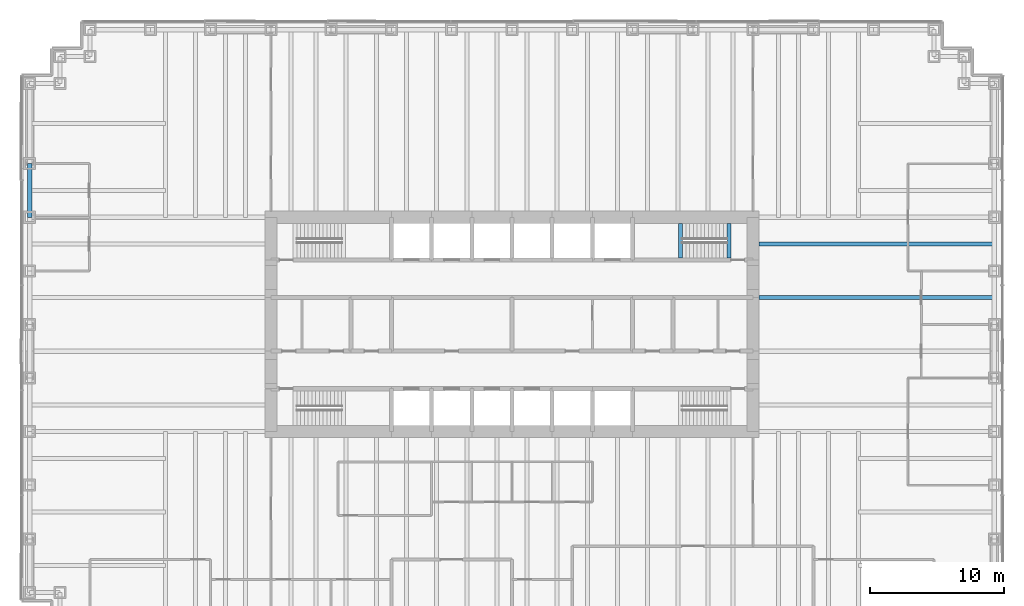
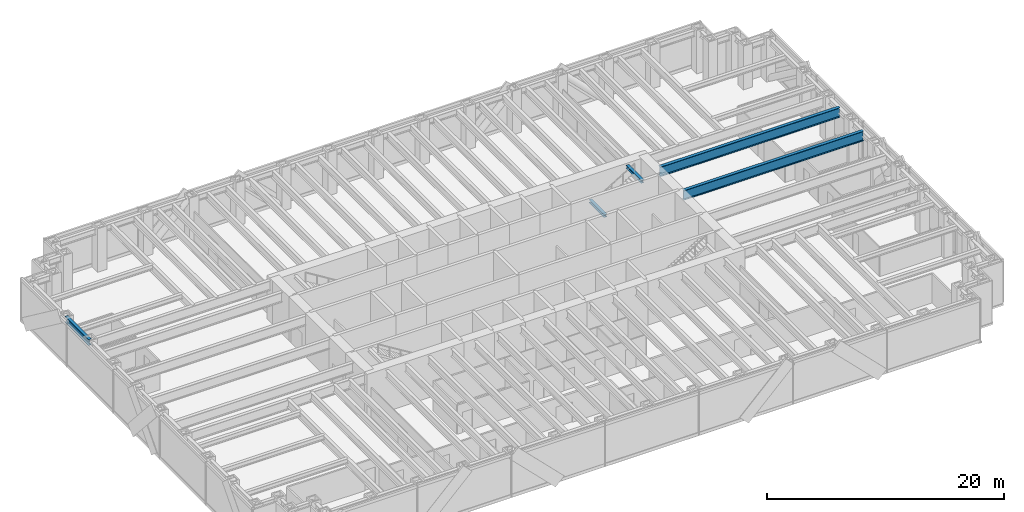
# One storey, part 4 of 13: 5 beams.
"""IFC4 building model written with IfcOpenShell, lengths in metres."""

from ifc_helpers import new_model, si_unit, direction, frame, origin, origin_2d, place, context, subcontext, project, spatial, i_section, extrude, material, material_profile, profile_set, type_object, element, save


model = new_model("IFC4")

# Units and contexts
model_context = context("Model", 3, precision=1e-05, world=origin(), true_north=direction((0.0, 1.0)))
body_context = subcontext(model_context, "Body", "Model", "MODEL_VIEW")
ifc_project = project(units=[si_unit("LENGTHUNIT", "METRE"), si_unit("AREAUNIT", "SQUARE_METRE"), si_unit("VOLUMEUNIT", "CUBIC_METRE"), si_unit("PLANEANGLEUNIT", "RADIAN"), si_unit("MASSUNIT", "GRAM", prefix="KILO")], contexts=[model_context])

# Site, building, storey
site_placement = place(None, origin())
site = spatial("IfcSite", under=ifc_project, at=site_placement, CompositionType="ELEMENT")
building_placement = place(site_placement, origin())
building = spatial("IfcBuilding", under=site, at=building_placement, Name="Rheinbord Bourse Tower", CompositionType="ELEMENT")
storey_placement = place(building_placement, frame((0.0, 0.0, 41.0)))
storey = spatial("IfcBuildingStorey", under=building, at=storey_placement, Name="L08", CompositionType="ELEMENT", Elevation=41.0)

# Beams
ifc_material_1 = material(Name="Steel S460", Category="steel")
ifc_material_profile_1 = material_profile(ifc_material_1, i_section(OverallWidth=0.302001953125, OverallDepth=1.008056640625, WebThickness=0.02099609375, FlangeThickness=0.0400390625, at=origin_2d()), Name="HEM 1000")
ifc_profile_set_1 = profile_set([ifc_material_profile_1], Name="Steel S460")
beam_type_1 = type_object("IfcBeamType", Name="END BEAM HEM 1000", PredefinedType="BEAM", material=ifc_profile_set_1)
for number, where, z_axis, x_axis, name in (
    (1, (54.449951171875, 26.0, 3.81591796875), (1.0, 0.0, 0.0), (0.0, 1.0, 0.0), "End beam east 26 L09"),
    (2, (54.449951171875, 30.0, 3.81591796875), (1.0, 0.0, 0.0), (0.0, 1.0, 0.0), "End beam east 30 L09"),
):
    element("IfcBeam", number, at=place(storey_placement, frame(where, z_axis=z_axis, x_axis=x_axis)), inside=storey, type_object=beam_type_1, Name=name, PredefinedType="BEAM", context=body_context, shape_type="SweptSolid", body=[
        extrude(i_section(OverallWidth=0.302001953125, OverallDepth=1.008056640625, WebThickness=0.02099609375, FlangeThickness=0.0400390625, at=origin_2d()), origin(), (0.0, 0.0, 1.0), 17.550048828125),
    ])
ifc_material_2 = material(Name="Steel S460", Category="steel")
ifc_material_profile_2 = material_profile(ifc_material_2, i_section(OverallWidth=0.300048828125, OverallDepth=0.300048828125, WebThickness=0.010986328125, FlangeThickness=0.01904296875, at=origin_2d()), Name="HEB 300")
ifc_profile_set_2 = profile_set([ifc_material_profile_2], Name="Steel S460")
beam_type_2 = type_object("IfcBeamType", Name="LANDING TRIMMER HEB 300", PredefinedType="BEAM", material=ifc_profile_set_2)
for number, where, z_axis, x_axis, name in (
    (3, (48.590087890625, 28.949951171875, 1.89990234375), (0.0, 1.0, 0.0), (-1.0, 0.0, 0.0), "Landing trimmer ST4 L08"),
    (4, (52.199951171875, 28.949951171875, 4.169921875), (0.0, 1.0, 0.0), (-1.0, 0.0, 0.0), "Well trimmer ST4 under L09"),
):
    element("IfcBeam", number, at=place(storey_placement, frame(where, z_axis=z_axis, x_axis=x_axis)), inside=storey, type_object=beam_type_2, Name=name, PredefinedType="BEAM", context=body_context, shape_type="SweptSolid", body=[
        extrude(i_section(OverallWidth=0.300048828125, OverallDepth=0.300048828125, WebThickness=0.010986328125, FlangeThickness=0.01904296875, at=origin_2d()), origin(), (0.0, 0.0, 1.0), 2.60009765625),
    ])
ifc_material_3 = material(Name="Steel S460", Category="steel")
ifc_material_profile_3 = material_profile(ifc_material_3, i_section(OverallWidth=0.304931640625, OverallDepth=0.6201171875, WebThickness=0.02099609375, FlangeThickness=0.0400390625, at=origin_2d()), Name="HEM 600")
ifc_profile_set_3 = profile_set([ifc_material_profile_3], Name="Steel S460")
beam_type_3 = type_object("IfcBeamType", Name="SPANDREL HEM 600", PredefinedType="SPANDREL", material=ifc_profile_set_3)
beam_placement = place(storey_placement, frame((0.0, 36.0, 4.010009765625), z_axis=(0.0, -1.0, 0.0), x_axis=(1.0, 0.0, 0.0)))
element("IfcBeam", 5, at=beam_placement, inside=storey, type_object=beam_type_3, Name="Spandrel W-36-W-32 under L09", PredefinedType="SPANDREL", context=body_context, shape_type="SweptSolid", body=[
    extrude(i_section(OverallWidth=0.304931640625, OverallDepth=0.6201171875, WebThickness=0.02099609375, FlangeThickness=0.0400390625, at=origin_2d()), origin(), (0.0, 0.0, 1.0), 4.0),
])

save(model, "model.ifc")
